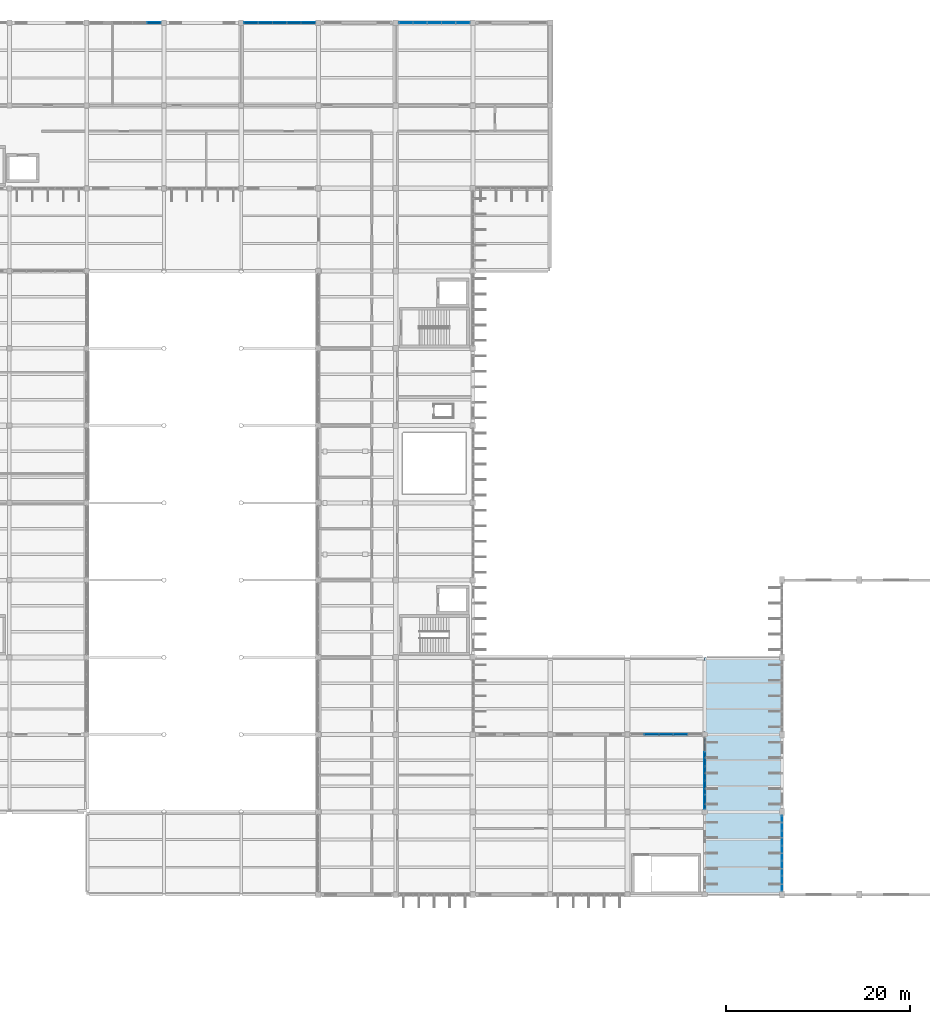
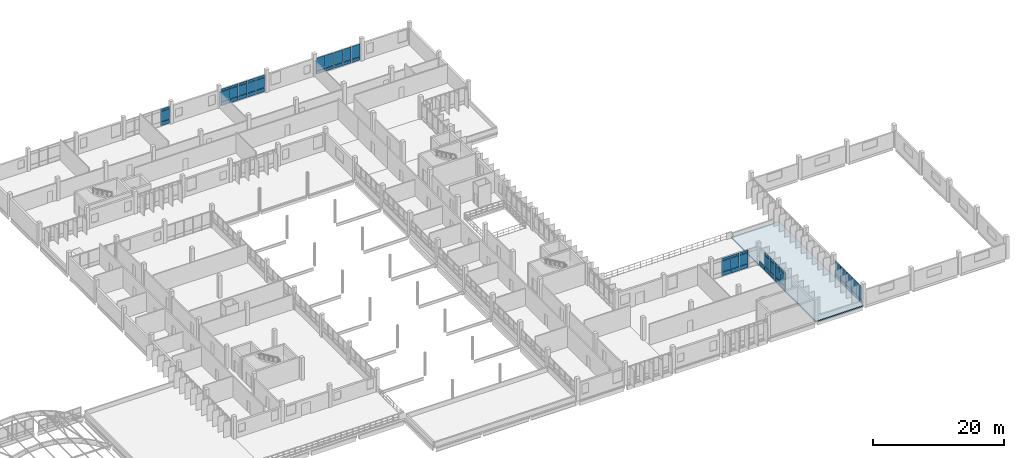
# One storey, part 102 of 130: 60 plates, 1 slab, 6 elements without a shape of their own.
"""IFC4 building model written with IfcOpenShell, lengths in metres."""

from ifc_helpers import new_model, si_unit, direction, frame, origin, origin_2d, place, context, subcontext, project, spatial, polyline, rectangle, outline, extrude, material, layer, layer_set, type_object, element, aggregate, save


model = new_model("IFC4")

# Units and contexts
model_context = context("Model", 3, precision=1e-05, world=origin(), true_north=direction((0.0, 1.0)))
body_context = subcontext(model_context, "Body", "Model", "MODEL_VIEW")
ifc_project = project(units=[si_unit("LENGTHUNIT", "METRE"), si_unit("AREAUNIT", "SQUARE_METRE"), si_unit("VOLUMEUNIT", "CUBIC_METRE"), si_unit("PLANEANGLEUNIT", "RADIAN"), si_unit("MASSUNIT", "GRAM", prefix="KILO")], contexts=[model_context])

# Site, building, storey
site_placement = place(None, origin())
site = spatial("IfcSite", under=ifc_project, at=site_placement, CompositionType="ELEMENT")
building_placement = place(site_placement, origin())
building = spatial("IfcBuilding", under=site, at=building_placement, Name="Vireocrest Preparatory School", CompositionType="ELEMENT")
storey_placement = place(building_placement, frame((0.0, 0.0, 9.0)))
storey = spatial("IfcBuildingStorey", under=building, at=storey_placement, Name="L02", CompositionType="ELEMENT", Elevation=9.0)

# Curtain wall, plates
ifc_material_1 = material(Name="Thermally broken aluminium EN AW-6063-T6", Category="aluminium")
ifc_layer_1 = layer(ifc_material_1, 0.179931640625)
ifc_layer_set_1 = layer_set([ifc_layer_1], Name="Thermally broken aluminium EN AW-6063-T6")
curtain_wall_type_1 = type_object("IfcCurtainWallType", Name="Library Reading Bay Glazing 7600x4200", PredefinedType="USERDEFINED", material=ifc_layer_set_1)
curtain_wall_1_placement = place(storey_placement, origin())
curtain_wall_1 = element("IfcCurtainWall", 1, at=curtain_wall_1_placement, inside=storey, type_object=curtain_wall_type_1, Name="Curtain Wall CW16 CW_L02_CW16_1262_0354_090", ObjectType="CURTAIN WALL", PredefinedType="USERDEFINED")
ifc_material_2 = material(Name="Insulated triple low-e tempered safety glass", Category="glass")
ifc_layer_2 = layer(ifc_material_2, 0.074951171875)
ifc_layer_set_2 = layer_set([ifc_layer_2], Name="Insulated triple low-e tempered safety glass")
plate_type_1 = type_object("IfcPlateType", Name="Acoustic Triple-Glazed Lab Curtain Panel 75", PredefinedType="CURTAIN_PANEL", material=ifc_layer_set_2)
plate_1_placement = place(storey_placement, frame((128.64404296875, 35.39990234375, 0.88232421875), z_axis=(0.0, 0.0, 1.0), x_axis=(1.0, 0.0, 0.0)))
plate_1 = element("IfcPlate", 2, at=plate_1_placement, type_object=plate_type_1, Name="CW Panel GL2 CW_L02_CW16_1262_0354_090-2-2", PredefinedType="CURTAIN_PANEL", context=body_context, shape_type="SweptSolid", body=[
    extrude(rectangle(XDim=1.490966796875, YDim=0.074951171875, at=origin_2d()), origin(), (0.0, 0.0, 1.0), 2.014892578125),
])
plate_2_placement = place(storey_placement, frame((128.64404296875, 35.39990234375, 2.96240234375), z_axis=(0.0, 0.0, 1.0), x_axis=(1.0, 0.0, 0.0)))
plate_2 = element("IfcPlate", 3, at=plate_2_placement, type_object=plate_type_1, Name="CW Panel GL2 CW_L02_CW16_1262_0354_090-2-3", PredefinedType="CURTAIN_PANEL", context=body_context, shape_type="SweptSolid", body=[
    extrude(rectangle(XDim=1.490966796875, YDim=0.074951171875, at=origin_2d()), origin(), (0.0, 0.0, 1.0), 0.409912109375),
])
plate_3_placement = place(storey_placement, frame((130.199951171875, 35.39990234375, 0.88232421875), z_axis=(0.0, 0.0, 1.0), x_axis=(1.0, 0.0, 0.0)))
plate_3 = element("IfcPlate", 4, at=plate_3_placement, type_object=plate_type_1, Name="CW Panel GL2 CW_L02_CW16_1262_0354_090-3-2", PredefinedType="CURTAIN_PANEL", context=body_context, shape_type="SweptSolid", body=[
    extrude(rectangle(XDim=1.490966796875, YDim=0.074951171875, at=origin_2d()), origin(), (0.0, 0.0, 1.0), 2.014892578125),
])
plate_4_placement = place(storey_placement, frame((130.199951171875, 35.39990234375, 2.96240234375), z_axis=(0.0, 0.0, 1.0), x_axis=(1.0, 0.0, 0.0)))
plate_4 = element("IfcPlate", 5, at=plate_4_placement, type_object=plate_type_1, Name="CW Panel GL2 CW_L02_CW16_1262_0354_090-3-3", PredefinedType="CURTAIN_PANEL", context=body_context, shape_type="SweptSolid", body=[
    extrude(rectangle(XDim=1.490966796875, YDim=0.074951171875, at=origin_2d()), origin(), (0.0, 0.0, 1.0), 0.409912109375),
])
plate_5_placement = place(storey_placement, frame((131.756103515625, 35.39990234375, 0.88232421875), z_axis=(0.0, 0.0, 1.0), x_axis=(1.0, 0.0, 0.0)))
plate_5 = element("IfcPlate", 6, at=plate_5_placement, type_object=plate_type_1, Name="CW Panel GL2 CW_L02_CW16_1262_0354_090-4-2", PredefinedType="CURTAIN_PANEL", context=body_context, shape_type="SweptSolid", body=[
    extrude(rectangle(XDim=1.490966796875, YDim=0.074951171875, at=origin_2d()), origin(), (0.0, 0.0, 1.0), 2.014892578125),
])
plate_6_placement = place(storey_placement, frame((131.756103515625, 35.39990234375, 2.96240234375), z_axis=(0.0, 0.0, 1.0), x_axis=(1.0, 0.0, 0.0)))
plate_6 = element("IfcPlate", 7, at=plate_6_placement, type_object=plate_type_1, Name="CW Panel GL2 CW_L02_CW16_1262_0354_090-4-3", PredefinedType="CURTAIN_PANEL", context=body_context, shape_type="SweptSolid", body=[
    extrude(rectangle(XDim=1.490966796875, YDim=0.074951171875, at=origin_2d()), origin(), (0.0, 0.0, 1.0), 0.409912109375),
])

ifc_layer_3 = layer(ifc_material_1, 0.179931640625)
ifc_layer_set_3 = layer_set([ifc_layer_3], Name="Thermally broken aluminium EN AW-6063-T6")
curtain_wall_type_2 = type_object("IfcCurtainWallType", Name="North Street Curtain Wall 8400x4000", PredefinedType="USERDEFINED", material=ifc_layer_set_3)
curtain_wall_2_placement = place(storey_placement, origin())
curtain_wall_2 = element("IfcCurtainWall", 8, at=curtain_wall_2_placement, inside=storey, type_object=curtain_wall_type_2, Name="Curtain Wall CW05 CW_L02_CW05_0674_1128_090", ObjectType="CURTAIN WALL", PredefinedType="USERDEFINED")
plate_7_placement = place(storey_placement, frame((74.511962890625, 112.800048828125, 0.88232421875), z_axis=(0.0, 0.0, 1.0), x_axis=(1.0, 0.0, 0.0)))
plate_7 = element("IfcPlate", 9, at=plate_7_placement, type_object=plate_type_1, Name="CW Panel GL2 CW_L02_CW05_0674_1128_090-5-2", PredefinedType="CURTAIN_PANEL", context=body_context, shape_type="SweptSolid", body=[
    extrude(rectangle(XDim=1.490966796875, YDim=0.074951171875, at=origin_2d()), origin(), (0.0, 0.0, 1.0), 1.844970703125),
])
plate_8_placement = place(storey_placement, frame((74.511962890625, 112.800048828125, 2.79248046875), z_axis=(0.0, 0.0, 1.0), x_axis=(1.0, 0.0, 0.0)))
plate_8 = element("IfcPlate", 10, at=plate_8_placement, type_object=plate_type_1, Name="CW Panel GL2 CW_L02_CW05_0674_1128_090-5-3", PredefinedType="CURTAIN_PANEL", context=body_context, shape_type="SweptSolid", body=[
    extrude(rectangle(XDim=1.490966796875, YDim=0.074951171875, at=origin_2d()), origin(), (0.0, 0.0, 1.0), 0.409912109375),
])

curtain_wall_3_placement = place(storey_placement, origin())
curtain_wall_3 = element("IfcCurtainWall", 11, at=curtain_wall_3_placement, inside=storey, type_object=curtain_wall_type_2, Name="Curtain Wall CW05 CW_L02_CW05_0842_1128_090", ObjectType="CURTAIN WALL", PredefinedType="USERDEFINED")
plate_9_placement = place(storey_placement, frame((85.08544921875, 112.800048828125, 0.88232421875), z_axis=(0.0, 0.0, 1.0), x_axis=(1.0, 0.0, 0.0)))
plate_9 = element("IfcPlate", 12, at=plate_9_placement, type_object=plate_type_1, Name="CW Panel GL2 CW_L02_CW05_0842_1128_090-1-2", PredefinedType="CURTAIN_PANEL", context=body_context, shape_type="SweptSolid", body=[
    extrude(rectangle(XDim=1.486083984375, YDim=0.074951171875, at=origin_2d()), origin(), (0.0, 0.0, 1.0), 1.844970703125),
])
plate_10_placement = place(storey_placement, frame((85.08544921875, 112.800048828125, 2.79248046875), z_axis=(0.0, 0.0, 1.0), x_axis=(1.0, 0.0, 0.0)))
plate_10 = element("IfcPlate", 13, at=plate_10_placement, type_object=plate_type_1, Name="CW Panel GL2 CW_L02_CW05_0842_1128_090-1-3", PredefinedType="CURTAIN_PANEL", context=body_context, shape_type="SweptSolid", body=[
    extrude(rectangle(XDim=1.486083984375, YDim=0.074951171875, at=origin_2d()), origin(), (0.0, 0.0, 1.0), 0.409912109375),
])
plate_11_placement = place(storey_placement, frame((86.636474609375, 112.800048828125, 0.88232421875), z_axis=(0.0, 0.0, 1.0), x_axis=(1.0, 0.0, 0.0)))
plate_11 = element("IfcPlate", 14, at=plate_11_placement, type_object=plate_type_1, Name="CW Panel GL2 CW_L02_CW05_0842_1128_090-2-2", PredefinedType="CURTAIN_PANEL", context=body_context, shape_type="SweptSolid", body=[
    extrude(rectangle(XDim=1.486083984375, YDim=0.074951171875, at=origin_2d()), origin(), (0.0, 0.0, 1.0), 1.844970703125),
])
plate_12_placement = place(storey_placement, frame((86.636474609375, 112.800048828125, 2.79248046875), z_axis=(0.0, 0.0, 1.0), x_axis=(1.0, 0.0, 0.0)))
plate_12 = element("IfcPlate", 15, at=plate_12_placement, type_object=plate_type_1, Name="CW Panel GL2 CW_L02_CW05_0842_1128_090-2-3", PredefinedType="CURTAIN_PANEL", context=body_context, shape_type="SweptSolid", body=[
    extrude(rectangle(XDim=1.486083984375, YDim=0.074951171875, at=origin_2d()), origin(), (0.0, 0.0, 1.0), 0.409912109375),
])
plate_13_placement = place(storey_placement, frame((88.1875, 112.800048828125, 0.88232421875), z_axis=(0.0, 0.0, 1.0), x_axis=(1.0, 0.0, 0.0)))
plate_13 = element("IfcPlate", 16, at=plate_13_placement, type_object=plate_type_1, Name="CW Panel GL2 CW_L02_CW05_0842_1128_090-3-2", PredefinedType="CURTAIN_PANEL", context=body_context, shape_type="SweptSolid", body=[
    extrude(rectangle(XDim=1.486083984375, YDim=0.074951171875, at=origin_2d()), origin(), (0.0, 0.0, 1.0), 1.844970703125),
])
plate_14_placement = place(storey_placement, frame((88.1875, 112.800048828125, 2.79248046875), z_axis=(0.0, 0.0, 1.0), x_axis=(1.0, 0.0, 0.0)))
plate_14 = element("IfcPlate", 17, at=plate_14_placement, type_object=plate_type_1, Name="CW Panel GL2 CW_L02_CW05_0842_1128_090-3-3", PredefinedType="CURTAIN_PANEL", context=body_context, shape_type="SweptSolid", body=[
    extrude(rectangle(XDim=1.486083984375, YDim=0.074951171875, at=origin_2d()), origin(), (0.0, 0.0, 1.0), 0.409912109375),
])
plate_15_placement = place(storey_placement, frame((89.738525390625, 112.800048828125, 0.88232421875), z_axis=(0.0, 0.0, 1.0), x_axis=(1.0, 0.0, 0.0)))
plate_15 = element("IfcPlate", 18, at=plate_15_placement, type_object=plate_type_1, Name="CW Panel GL2 CW_L02_CW05_0842_1128_090-4-2", PredefinedType="CURTAIN_PANEL", context=body_context, shape_type="SweptSolid", body=[
    extrude(rectangle(XDim=1.486083984375, YDim=0.074951171875, at=origin_2d()), origin(), (0.0, 0.0, 1.0), 1.844970703125),
])
plate_16_placement = place(storey_placement, frame((89.738525390625, 112.800048828125, 2.79248046875), z_axis=(0.0, 0.0, 1.0), x_axis=(1.0, 0.0, 0.0)))
plate_16 = element("IfcPlate", 19, at=plate_16_placement, type_object=plate_type_1, Name="CW Panel GL2 CW_L02_CW05_0842_1128_090-4-3", PredefinedType="CURTAIN_PANEL", context=body_context, shape_type="SweptSolid", body=[
    extrude(rectangle(XDim=1.486083984375, YDim=0.074951171875, at=origin_2d()), origin(), (0.0, 0.0, 1.0), 0.409912109375),
])
plate_17_placement = place(storey_placement, frame((91.28955078125, 112.800048828125, 0.88232421875), z_axis=(0.0, 0.0, 1.0), x_axis=(1.0, 0.0, 0.0)))
plate_17 = element("IfcPlate", 20, at=plate_17_placement, type_object=plate_type_1, Name="CW Panel GL2 CW_L02_CW05_0842_1128_090-5-2", PredefinedType="CURTAIN_PANEL", context=body_context, shape_type="SweptSolid", body=[
    extrude(rectangle(XDim=1.486083984375, YDim=0.074951171875, at=origin_2d()), origin(), (0.0, 0.0, 1.0), 1.844970703125),
])
plate_18_placement = place(storey_placement, frame((91.28955078125, 112.800048828125, 2.79248046875), z_axis=(0.0, 0.0, 1.0), x_axis=(1.0, 0.0, 0.0)))
plate_18 = element("IfcPlate", 21, at=plate_18_placement, type_object=plate_type_1, Name="CW Panel GL2 CW_L02_CW05_0842_1128_090-5-3", PredefinedType="CURTAIN_PANEL", context=body_context, shape_type="SweptSolid", body=[
    extrude(rectangle(XDim=1.486083984375, YDim=0.074951171875, at=origin_2d()), origin(), (0.0, 0.0, 1.0), 0.409912109375),
])

curtain_wall_4_placement = place(storey_placement, origin())
curtain_wall_4 = element("IfcCurtainWall", 22, at=curtain_wall_4_placement, inside=storey, type_object=curtain_wall_type_2, Name="Curtain Wall CW05 CW_L02_CW05_1011_1128_090", ObjectType="CURTAIN WALL", PredefinedType="USERDEFINED")
plate_19_placement = place(storey_placement, frame((101.907958984375, 112.800048828125, 0.12744140625), z_axis=(0.0, 0.0, 1.0), x_axis=(1.0, 0.0, 0.0)))
plate_19 = element("IfcPlate", 23, at=plate_19_placement, type_object=plate_type_1, Name="CW Panel GL2 CW_L02_CW05_1011_1128_090-1-1", PredefinedType="CURTAIN_PANEL", context=body_context, shape_type="SweptSolid", body=[
    extrude(rectangle(XDim=1.48095703125, YDim=0.074951171875, at=origin_2d()), origin(), (0.0, 0.0, 1.0), 0.5400390625),
])
plate_20_placement = place(storey_placement, frame((101.907958984375, 112.800048828125, 0.732421875), z_axis=(0.0, 0.0, 1.0), x_axis=(1.0, 0.0, 0.0)))
plate_20 = element("IfcPlate", 24, at=plate_20_placement, type_object=plate_type_1, Name="CW Panel GL2 CW_L02_CW05_1011_1128_090-1-2", PredefinedType="CURTAIN_PANEL", context=body_context, shape_type="SweptSolid", body=[
    extrude(rectangle(XDim=1.48095703125, YDim=0.074951171875, at=origin_2d()), origin(), (0.0, 0.0, 1.0), 2.3701171875),
])
plate_21_placement = place(storey_placement, frame((103.4541015625, 112.800048828125, 0.12744140625), z_axis=(0.0, 0.0, 1.0), x_axis=(1.0, 0.0, 0.0)))
plate_21 = element("IfcPlate", 25, at=plate_21_placement, type_object=plate_type_1, Name="CW Panel GL2 CW_L02_CW05_1011_1128_090-2-1", PredefinedType="CURTAIN_PANEL", context=body_context, shape_type="SweptSolid", body=[
    extrude(rectangle(XDim=1.48095703125, YDim=0.074951171875, at=origin_2d()), origin(), (0.0, 0.0, 1.0), 0.5400390625),
])
plate_22_placement = place(storey_placement, frame((103.4541015625, 112.800048828125, 0.732421875), z_axis=(0.0, 0.0, 1.0), x_axis=(1.0, 0.0, 0.0)))
plate_22 = element("IfcPlate", 26, at=plate_22_placement, type_object=plate_type_1, Name="CW Panel GL2 CW_L02_CW05_1011_1128_090-2-2", PredefinedType="CURTAIN_PANEL", context=body_context, shape_type="SweptSolid", body=[
    extrude(rectangle(XDim=1.48095703125, YDim=0.074951171875, at=origin_2d()), origin(), (0.0, 0.0, 1.0), 2.3701171875),
])
plate_23_placement = place(storey_placement, frame((105.0, 112.800048828125, 0.12744140625), z_axis=(0.0, 0.0, 1.0), x_axis=(1.0, 0.0, 0.0)))
plate_23 = element("IfcPlate", 27, at=plate_23_placement, type_object=plate_type_1, Name="CW Panel GL2 CW_L02_CW05_1011_1128_090-3-1", PredefinedType="CURTAIN_PANEL", context=body_context, shape_type="SweptSolid", body=[
    extrude(rectangle(XDim=1.48095703125, YDim=0.074951171875, at=origin_2d()), origin(), (0.0, 0.0, 1.0), 0.5400390625),
])
plate_24_placement = place(storey_placement, frame((105.0, 112.800048828125, 0.732421875), z_axis=(0.0, 0.0, 1.0), x_axis=(1.0, 0.0, 0.0)))
plate_24 = element("IfcPlate", 28, at=plate_24_placement, type_object=plate_type_1, Name="CW Panel GL2 CW_L02_CW05_1011_1128_090-3-2", PredefinedType="CURTAIN_PANEL", context=body_context, shape_type="SweptSolid", body=[
    extrude(rectangle(XDim=1.48095703125, YDim=0.074951171875, at=origin_2d()), origin(), (0.0, 0.0, 1.0), 2.3701171875),
])
plate_25_placement = place(storey_placement, frame((106.5458984375, 112.800048828125, 0.12744140625), z_axis=(0.0, 0.0, 1.0), x_axis=(1.0, 0.0, 0.0)))
plate_25 = element("IfcPlate", 29, at=plate_25_placement, type_object=plate_type_1, Name="CW Panel GL2 CW_L02_CW05_1011_1128_090-4-1", PredefinedType="CURTAIN_PANEL", context=body_context, shape_type="SweptSolid", body=[
    extrude(rectangle(XDim=1.48095703125, YDim=0.074951171875, at=origin_2d()), origin(), (0.0, 0.0, 1.0), 0.5400390625),
])
plate_26_placement = place(storey_placement, frame((106.5458984375, 112.800048828125, 0.732421875), z_axis=(0.0, 0.0, 1.0), x_axis=(1.0, 0.0, 0.0)))
plate_26 = element("IfcPlate", 30, at=plate_26_placement, type_object=plate_type_1, Name="CW Panel GL2 CW_L02_CW05_1011_1128_090-4-2", PredefinedType="CURTAIN_PANEL", context=body_context, shape_type="SweptSolid", body=[
    extrude(rectangle(XDim=1.48095703125, YDim=0.074951171875, at=origin_2d()), origin(), (0.0, 0.0, 1.0), 2.3701171875),
])
plate_27_placement = place(storey_placement, frame((108.092041015625, 112.800048828125, 0.12744140625), z_axis=(0.0, 0.0, 1.0), x_axis=(1.0, 0.0, 0.0)))
plate_27 = element("IfcPlate", 31, at=plate_27_placement, type_object=plate_type_1, Name="CW Panel GL2 CW_L02_CW05_1011_1128_090-5-1", PredefinedType="CURTAIN_PANEL", context=body_context, shape_type="SweptSolid", body=[
    extrude(rectangle(XDim=1.48095703125, YDim=0.074951171875, at=origin_2d()), origin(), (0.0, 0.0, 1.0), 0.5400390625),
])
plate_28_placement = place(storey_placement, frame((108.092041015625, 112.800048828125, 0.732421875), z_axis=(0.0, 0.0, 1.0), x_axis=(1.0, 0.0, 0.0)))
plate_28 = element("IfcPlate", 32, at=plate_28_placement, type_object=plate_type_1, Name="CW Panel GL2 CW_L02_CW05_1011_1128_090-5-2", PredefinedType="CURTAIN_PANEL", context=body_context, shape_type="SweptSolid", body=[
    extrude(rectangle(XDim=1.48095703125, YDim=0.074951171875, at=origin_2d()), origin(), (0.0, 0.0, 1.0), 2.3701171875),
])
aggregate(curtain_wall_4, [plate_19, plate_20, plate_21, plate_22, plate_23, plate_24, plate_25, plate_26, plate_27, plate_28])

ifc_layer_4 = layer(ifc_material_1, 0.179931640625)
ifc_layer_set_4 = layer_set([ifc_layer_4], Name="Thermally broken aluminium EN AW-6063-T6")
curtain_wall_type_3 = type_object("IfcCurtainWallType", Name="Teaching Fin Curtain Wall 8400x4200", PredefinedType="USERDEFINED", material=ifc_layer_set_4)
curtain_wall_5_placement = place(storey_placement, origin())
curtain_wall_5 = element("IfcCurtainWall", 33, at=curtain_wall_5_placement, inside=storey, type_object=curtain_wall_type_3, Name="Curtain Wall CW03 CW_L02_CW03_1344_0272_090", ObjectType="CURTAIN WALL", PredefinedType="USERDEFINED")
plate_29_placement = place(storey_placement, frame((134.39990234375, 28.087890625, 0.88232421875), z_axis=(0.0, 0.0, 1.0), x_axis=(0.0, 1.0, 0.0)))
plate_29 = element("IfcPlate", 34, at=plate_29_placement, type_object=plate_type_1, Name="CW Panel GL2 CW_L02_CW03_1344_0272_090-1-2", PredefinedType="CURTAIN_PANEL", context=body_context, shape_type="SweptSolid", body=[
    extrude(rectangle(XDim=1.490966796875, YDim=0.074951171875, at=origin_2d()), origin(), (0.0, 0.0, 1.0), 2.014892578125),
])
plate_30_placement = place(storey_placement, frame((134.39990234375, 28.087890625, 2.96240234375), z_axis=(0.0, 0.0, 1.0), x_axis=(0.0, 1.0, 0.0)))
plate_30 = element("IfcPlate", 35, at=plate_30_placement, type_object=plate_type_1, Name="CW Panel GL2 CW_L02_CW03_1344_0272_090-1-3", PredefinedType="CURTAIN_PANEL", context=body_context, shape_type="SweptSolid", body=[
    extrude(rectangle(XDim=1.490966796875, YDim=0.074951171875, at=origin_2d()), origin(), (0.0, 0.0, 1.0), 0.409912109375),
])
plate_31_placement = place(storey_placement, frame((134.39990234375, 29.64404296875, 0.88232421875), z_axis=(0.0, 0.0, 1.0), x_axis=(0.0, 1.0, 0.0)))
plate_31 = element("IfcPlate", 36, at=plate_31_placement, type_object=plate_type_1, Name="CW Panel GL2 CW_L02_CW03_1344_0272_090-2-2", PredefinedType="CURTAIN_PANEL", context=body_context, shape_type="SweptSolid", body=[
    extrude(rectangle(XDim=1.490966796875, YDim=0.074951171875, at=origin_2d()), origin(), (0.0, 0.0, 1.0), 2.014892578125),
])
plate_32_placement = place(storey_placement, frame((134.39990234375, 29.64404296875, 2.96240234375), z_axis=(0.0, 0.0, 1.0), x_axis=(0.0, 1.0, 0.0)))
plate_32 = element("IfcPlate", 37, at=plate_32_placement, type_object=plate_type_1, Name="CW Panel GL2 CW_L02_CW03_1344_0272_090-2-3", PredefinedType="CURTAIN_PANEL", context=body_context, shape_type="SweptSolid", body=[
    extrude(rectangle(XDim=1.490966796875, YDim=0.074951171875, at=origin_2d()), origin(), (0.0, 0.0, 1.0), 0.409912109375),
])
plate_33_placement = place(storey_placement, frame((134.39990234375, 31.199951171875, 0.88232421875), z_axis=(0.0, 0.0, 1.0), x_axis=(0.0, 1.0, 0.0)))
plate_33 = element("IfcPlate", 38, at=plate_33_placement, type_object=plate_type_1, Name="CW Panel GL2 CW_L02_CW03_1344_0272_090-3-2", PredefinedType="CURTAIN_PANEL", context=body_context, shape_type="SweptSolid", body=[
    extrude(rectangle(XDim=1.490966796875, YDim=0.074951171875, at=origin_2d()), origin(), (0.0, 0.0, 1.0), 2.014892578125),
])
plate_34_placement = place(storey_placement, frame((134.39990234375, 31.199951171875, 2.96240234375), z_axis=(0.0, 0.0, 1.0), x_axis=(0.0, 1.0, 0.0)))
plate_34 = element("IfcPlate", 39, at=plate_34_placement, type_object=plate_type_1, Name="CW Panel GL2 CW_L02_CW03_1344_0272_090-3-3", PredefinedType="CURTAIN_PANEL", context=body_context, shape_type="SweptSolid", body=[
    extrude(rectangle(XDim=1.490966796875, YDim=0.074951171875, at=origin_2d()), origin(), (0.0, 0.0, 1.0), 0.409912109375),
])
plate_35_placement = place(storey_placement, frame((134.39990234375, 32.756103515625, 0.88232421875), z_axis=(0.0, 0.0, 1.0), x_axis=(0.0, 1.0, 0.0)))
plate_35 = element("IfcPlate", 40, at=plate_35_placement, type_object=plate_type_1, Name="CW Panel GL2 CW_L02_CW03_1344_0272_090-4-2", PredefinedType="CURTAIN_PANEL", context=body_context, shape_type="SweptSolid", body=[
    extrude(rectangle(XDim=1.490966796875, YDim=0.074951171875, at=origin_2d()), origin(), (0.0, 0.0, 1.0), 2.014892578125),
])
plate_36_placement = place(storey_placement, frame((134.39990234375, 32.756103515625, 2.96240234375), z_axis=(0.0, 0.0, 1.0), x_axis=(0.0, 1.0, 0.0)))
plate_36 = element("IfcPlate", 41, at=plate_36_placement, type_object=plate_type_1, Name="CW Panel GL2 CW_L02_CW03_1344_0272_090-4-3", PredefinedType="CURTAIN_PANEL", context=body_context, shape_type="SweptSolid", body=[
    extrude(rectangle(XDim=1.490966796875, YDim=0.074951171875, at=origin_2d()), origin(), (0.0, 0.0, 1.0), 0.409912109375),
])

ifc_layer_5 = layer(ifc_material_1, 0.179931640625)
ifc_layer_set_5 = layer_set([ifc_layer_5], Name="Thermally broken aluminium EN AW-6063-T6")
curtain_wall_type_4 = type_object("IfcCurtainWallType", Name="Side Facade Curtain Wall 9000x4200", PredefinedType="USERDEFINED", material=ifc_layer_set_5)
curtain_wall_6_placement = place(storey_placement, origin())
curtain_wall_6 = element("IfcCurtainWall", 42, at=curtain_wall_6_placement, inside=storey, type_object=curtain_wall_type_4, Name="Curtain Wall CW07 CW_L02_CW07_1428_0184_090", ObjectType="CURTAIN WALL", PredefinedType="USERDEFINED")
plate_37_placement = place(storey_placement, frame((142.800048828125, 19.22802734375, 0.12744140625), z_axis=(0.0, 0.0, 1.0), x_axis=(0.0, 1.0, 0.0)))
plate_37 = element("IfcPlate", 43, at=plate_37_placement, type_object=plate_type_1, Name="CW Panel GL2 CW_L02_CW07_1428_0184_090-1-1", PredefinedType="CURTAIN_PANEL", context=body_context, shape_type="SweptSolid", body=[
    extrude(rectangle(XDim=1.571044921875, YDim=0.074951171875, at=origin_2d()), origin(), (0.0, 0.0, 1.0), 0.5400390625),
])
plate_38_placement = place(storey_placement, frame((142.800048828125, 19.22802734375, 0.732421875), z_axis=(0.0, 0.0, 1.0), x_axis=(0.0, 1.0, 0.0)))
plate_38 = element("IfcPlate", 44, at=plate_38_placement, type_object=plate_type_1, Name="CW Panel GL2 CW_L02_CW07_1428_0184_090-1-2", PredefinedType="CURTAIN_PANEL", context=body_context, shape_type="SweptSolid", body=[
    extrude(rectangle(XDim=1.571044921875, YDim=0.074951171875, at=origin_2d()), origin(), (0.0, 0.0, 1.0), 2.386962890625),
])
plate_39_placement = place(storey_placement, frame((142.800048828125, 20.864013671875, 0.12744140625), z_axis=(0.0, 0.0, 1.0), x_axis=(0.0, 1.0, 0.0)))
plate_39 = element("IfcPlate", 45, at=plate_39_placement, type_object=plate_type_1, Name="CW Panel GL2 CW_L02_CW07_1428_0184_090-2-1", PredefinedType="CURTAIN_PANEL", context=body_context, shape_type="SweptSolid", body=[
    extrude(rectangle(XDim=1.571044921875, YDim=0.074951171875, at=origin_2d()), origin(), (0.0, 0.0, 1.0), 0.5400390625),
])
plate_40_placement = place(storey_placement, frame((142.800048828125, 20.864013671875, 0.732421875), z_axis=(0.0, 0.0, 1.0), x_axis=(0.0, 1.0, 0.0)))
plate_40 = element("IfcPlate", 46, at=plate_40_placement, type_object=plate_type_1, Name="CW Panel GL2 CW_L02_CW07_1428_0184_090-2-2", PredefinedType="CURTAIN_PANEL", context=body_context, shape_type="SweptSolid", body=[
    extrude(rectangle(XDim=1.571044921875, YDim=0.074951171875, at=origin_2d()), origin(), (0.0, 0.0, 1.0), 2.386962890625),
])
plate_41_placement = place(storey_placement, frame((142.800048828125, 22.5, 0.12744140625), z_axis=(0.0, 0.0, 1.0), x_axis=(0.0, 1.0, 0.0)))
plate_41 = element("IfcPlate", 47, at=plate_41_placement, type_object=plate_type_1, Name="CW Panel GL2 CW_L02_CW07_1428_0184_090-3-1", PredefinedType="CURTAIN_PANEL", context=body_context, shape_type="SweptSolid", body=[
    extrude(rectangle(XDim=1.571044921875, YDim=0.074951171875, at=origin_2d()), origin(), (0.0, 0.0, 1.0), 0.5400390625),
])
plate_42_placement = place(storey_placement, frame((142.800048828125, 22.5, 0.732421875), z_axis=(0.0, 0.0, 1.0), x_axis=(0.0, 1.0, 0.0)))
plate_42 = element("IfcPlate", 48, at=plate_42_placement, type_object=plate_type_1, Name="CW Panel GL2 CW_L02_CW07_1428_0184_090-3-2", PredefinedType="CURTAIN_PANEL", context=body_context, shape_type="SweptSolid", body=[
    extrude(rectangle(XDim=1.571044921875, YDim=0.074951171875, at=origin_2d()), origin(), (0.0, 0.0, 1.0), 2.386962890625),
])
plate_43_placement = place(storey_placement, frame((142.800048828125, 24.135986328125, 0.12744140625), z_axis=(0.0, 0.0, 1.0), x_axis=(0.0, 1.0, 0.0)))
plate_43 = element("IfcPlate", 49, at=plate_43_placement, type_object=plate_type_1, Name="CW Panel GL2 CW_L02_CW07_1428_0184_090-4-1", PredefinedType="CURTAIN_PANEL", context=body_context, shape_type="SweptSolid", body=[
    extrude(rectangle(XDim=1.571044921875, YDim=0.074951171875, at=origin_2d()), origin(), (0.0, 0.0, 1.0), 0.5400390625),
])
plate_44_placement = place(storey_placement, frame((142.800048828125, 24.135986328125, 0.732421875), z_axis=(0.0, 0.0, 1.0), x_axis=(0.0, 1.0, 0.0)))
plate_44 = element("IfcPlate", 50, at=plate_44_placement, type_object=plate_type_1, Name="CW Panel GL2 CW_L02_CW07_1428_0184_090-4-2", PredefinedType="CURTAIN_PANEL", context=body_context, shape_type="SweptSolid", body=[
    extrude(rectangle(XDim=1.571044921875, YDim=0.074951171875, at=origin_2d()), origin(), (0.0, 0.0, 1.0), 2.386962890625),
])
plate_45_placement = place(storey_placement, frame((142.800048828125, 25.77197265625, 0.12744140625), z_axis=(0.0, 0.0, 1.0), x_axis=(0.0, 1.0, 0.0)))
plate_45 = element("IfcPlate", 51, at=plate_45_placement, type_object=plate_type_1, Name="CW Panel GL2 CW_L02_CW07_1428_0184_090-5-1", PredefinedType="CURTAIN_PANEL", context=body_context, shape_type="SweptSolid", body=[
    extrude(rectangle(XDim=1.571044921875, YDim=0.074951171875, at=origin_2d()), origin(), (0.0, 0.0, 1.0), 0.5400390625),
])
plate_46_placement = place(storey_placement, frame((142.800048828125, 25.77197265625, 0.732421875), z_axis=(0.0, 0.0, 1.0), x_axis=(0.0, 1.0, 0.0)))
plate_46 = element("IfcPlate", 52, at=plate_46_placement, type_object=plate_type_1, Name="CW Panel GL2 CW_L02_CW07_1428_0184_090-5-2", PredefinedType="CURTAIN_PANEL", context=body_context, shape_type="SweptSolid", body=[
    extrude(rectangle(XDim=1.571044921875, YDim=0.074951171875, at=origin_2d()), origin(), (0.0, 0.0, 1.0), 2.386962890625),
])
aggregate(curtain_wall_6, [plate_37, plate_38, plate_39, plate_40, plate_41, plate_42, plate_43, plate_44, plate_45, plate_46])

# Slab
ifc_material_3 = material(Name="Concrete 40 MPa", Category="concrete")
ifc_layer_6 = layer(ifc_material_3, 0.219970703125)
ifc_layer_set_6 = layer_set([ifc_layer_6], Name="Concrete 40 MPa")
slab_type = type_object("IfcSlabType", Name="Insulated Flat Concrete Roof Slab 220", PredefinedType="ROOF", material=ifc_layer_set_6)
slab_placement = place(storey_placement, frame((0.0, 0.0, -0.219970703125)))
element("IfcSlab", 53, at=slab_placement, inside=storey, type_object=slab_type, Name="Slab L02_EAST_LINK_ROOF_E", PredefinedType="ROOF", context=body_context, shape_type="SweptSolid", body=[
    extrude(outline(polyline([(134.39990234375, 18.0), (142.800048828125, 18.0), (142.800048828125, 43.800048828125), (134.39990234375, 43.800048828125), (134.39990234375, 18.0)])), origin(), (0.0, 0.0, 1.0), 0.219970703125),
])

# Plate
ifc_material_4 = material(Name="Painted white aluminium cladding EN AW-6063-T6", Category="aluminium")
ifc_layer_7 = layer(ifc_material_4, 0.114990234375)
ifc_layer_set_7 = layer_set([ifc_layer_7], Name="Painted white aluminium cladding EN AW-6063-T6")
plate_type_2 = type_object("IfcPlateType", Name="Insulated White Spandrel Curtain Panel 115", PredefinedType="CURTAIN_PANEL", material=ifc_layer_set_7)
plate_47_placement = place(storey_placement, frame((128.64404296875, 35.39990234375, 0.12744140625), z_axis=(0.0, 0.0, 1.0), x_axis=(1.0, 0.0, 0.0)))
plate_47 = element("IfcPlate", 54, at=plate_47_placement, type_object=plate_type_2, Name="CW Panel SP2 CW_L02_CW16_1262_0354_090-2-1", PredefinedType="CURTAIN_PANEL", context=body_context, shape_type="SweptSolid", body=[
    extrude(rectangle(XDim=1.490966796875, YDim=0.114990234375, at=origin_2d()), origin(), (0.0, 0.0, 1.0), 0.68994140625),
])

plate_48_placement = place(storey_placement, frame((130.199951171875, 35.39990234375, 0.12744140625), z_axis=(0.0, 0.0, 1.0), x_axis=(1.0, 0.0, 0.0)))
plate_48 = element("IfcPlate", 55, at=plate_48_placement, type_object=plate_type_2, Name="CW Panel SP2 CW_L02_CW16_1262_0354_090-3-1", PredefinedType="CURTAIN_PANEL", context=body_context, shape_type="SweptSolid", body=[
    extrude(rectangle(XDim=1.490966796875, YDim=0.114990234375, at=origin_2d()), origin(), (0.0, 0.0, 1.0), 0.68994140625),
])

plate_49_placement = place(storey_placement, frame((131.756103515625, 35.39990234375, 0.12744140625), z_axis=(0.0, 0.0, 1.0), x_axis=(1.0, 0.0, 0.0)))
plate_49 = element("IfcPlate", 56, at=plate_49_placement, type_object=plate_type_2, Name="CW Panel SP2 CW_L02_CW16_1262_0354_090-4-1", PredefinedType="CURTAIN_PANEL", context=body_context, shape_type="SweptSolid", body=[
    extrude(rectangle(XDim=1.490966796875, YDim=0.114990234375, at=origin_2d()), origin(), (0.0, 0.0, 1.0), 0.68994140625),
])

aggregate(curtain_wall_1, [plate_47, plate_1, plate_2, plate_48, plate_3, plate_4, plate_49, plate_5, plate_6])

plate_50_placement = place(storey_placement, frame((74.511962890625, 112.800048828125, 0.12744140625), z_axis=(0.0, 0.0, 1.0), x_axis=(1.0, 0.0, 0.0)))
plate_50 = element("IfcPlate", 57, at=plate_50_placement, type_object=plate_type_2, Name="CW Panel SP2 CW_L02_CW05_0674_1128_090-5-1", PredefinedType="CURTAIN_PANEL", context=body_context, shape_type="SweptSolid", body=[
    extrude(rectangle(XDim=1.490966796875, YDim=0.114990234375, at=origin_2d()), origin(), (0.0, 0.0, 1.0), 0.68994140625),
])

aggregate(curtain_wall_2, [plate_50, plate_7, plate_8])

plate_51_placement = place(storey_placement, frame((85.08544921875, 112.800048828125, 0.12744140625), z_axis=(0.0, 0.0, 1.0), x_axis=(1.0, 0.0, 0.0)))
plate_51 = element("IfcPlate", 58, at=plate_51_placement, type_object=plate_type_2, Name="CW Panel SP2 CW_L02_CW05_0842_1128_090-1-1", PredefinedType="CURTAIN_PANEL", context=body_context, shape_type="SweptSolid", body=[
    extrude(rectangle(XDim=1.486083984375, YDim=0.114990234375, at=origin_2d()), origin(), (0.0, 0.0, 1.0), 0.68994140625),
])

plate_52_placement = place(storey_placement, frame((86.636474609375, 112.800048828125, 0.12744140625), z_axis=(0.0, 0.0, 1.0), x_axis=(1.0, 0.0, 0.0)))
plate_52 = element("IfcPlate", 59, at=plate_52_placement, type_object=plate_type_2, Name="CW Panel SP2 CW_L02_CW05_0842_1128_090-2-1", PredefinedType="CURTAIN_PANEL", context=body_context, shape_type="SweptSolid", body=[
    extrude(rectangle(XDim=1.486083984375, YDim=0.114990234375, at=origin_2d()), origin(), (0.0, 0.0, 1.0), 0.68994140625),
])

plate_53_placement = place(storey_placement, frame((88.1875, 112.800048828125, 0.12744140625), z_axis=(0.0, 0.0, 1.0), x_axis=(1.0, 0.0, 0.0)))
plate_53 = element("IfcPlate", 60, at=plate_53_placement, type_object=plate_type_2, Name="CW Panel SP2 CW_L02_CW05_0842_1128_090-3-1", PredefinedType="CURTAIN_PANEL", context=body_context, shape_type="SweptSolid", body=[
    extrude(rectangle(XDim=1.486083984375, YDim=0.114990234375, at=origin_2d()), origin(), (0.0, 0.0, 1.0), 0.68994140625),
])

plate_54_placement = place(storey_placement, frame((89.738525390625, 112.800048828125, 0.12744140625), z_axis=(0.0, 0.0, 1.0), x_axis=(1.0, 0.0, 0.0)))
plate_54 = element("IfcPlate", 61, at=plate_54_placement, type_object=plate_type_2, Name="CW Panel SP2 CW_L02_CW05_0842_1128_090-4-1", PredefinedType="CURTAIN_PANEL", context=body_context, shape_type="SweptSolid", body=[
    extrude(rectangle(XDim=1.486083984375, YDim=0.114990234375, at=origin_2d()), origin(), (0.0, 0.0, 1.0), 0.68994140625),
])

plate_55_placement = place(storey_placement, frame((91.28955078125, 112.800048828125, 0.12744140625), z_axis=(0.0, 0.0, 1.0), x_axis=(1.0, 0.0, 0.0)))
plate_55 = element("IfcPlate", 62, at=plate_55_placement, type_object=plate_type_2, Name="CW Panel SP2 CW_L02_CW05_0842_1128_090-5-1", PredefinedType="CURTAIN_PANEL", context=body_context, shape_type="SweptSolid", body=[
    extrude(rectangle(XDim=1.486083984375, YDim=0.114990234375, at=origin_2d()), origin(), (0.0, 0.0, 1.0), 0.68994140625),
])

aggregate(curtain_wall_3, [plate_51, plate_9, plate_10, plate_52, plate_11, plate_12, plate_53, plate_13, plate_14, plate_54, plate_15, plate_16, plate_55, plate_17, plate_18])

plate_56_placement = place(storey_placement, frame((134.39990234375, 28.087890625, 0.12744140625), z_axis=(0.0, 0.0, 1.0), x_axis=(0.0, 1.0, 0.0)))
plate_56 = element("IfcPlate", 63, at=plate_56_placement, type_object=plate_type_2, Name="CW Panel SP2 CW_L02_CW03_1344_0272_090-1-1", PredefinedType="CURTAIN_PANEL", context=body_context, shape_type="SweptSolid", body=[
    extrude(rectangle(XDim=1.490966796875, YDim=0.114990234375, at=origin_2d()), origin(), (0.0, 0.0, 1.0), 0.68994140625),
])

plate_57_placement = place(storey_placement, frame((134.39990234375, 29.64404296875, 0.12744140625), z_axis=(0.0, 0.0, 1.0), x_axis=(0.0, 1.0, 0.0)))
plate_57 = element("IfcPlate", 64, at=plate_57_placement, type_object=plate_type_2, Name="CW Panel SP2 CW_L02_CW03_1344_0272_090-2-1", PredefinedType="CURTAIN_PANEL", context=body_context, shape_type="SweptSolid", body=[
    extrude(rectangle(XDim=1.490966796875, YDim=0.114990234375, at=origin_2d()), origin(), (0.0, 0.0, 1.0), 0.68994140625),
])

plate_58_placement = place(storey_placement, frame((134.39990234375, 31.199951171875, 0.12744140625), z_axis=(0.0, 0.0, 1.0), x_axis=(0.0, 1.0, 0.0)))
plate_58 = element("IfcPlate", 65, at=plate_58_placement, type_object=plate_type_2, Name="CW Panel SP2 CW_L02_CW03_1344_0272_090-3-1", PredefinedType="CURTAIN_PANEL", context=body_context, shape_type="SweptSolid", body=[
    extrude(rectangle(XDim=1.490966796875, YDim=0.114990234375, at=origin_2d()), origin(), (0.0, 0.0, 1.0), 0.68994140625),
])

plate_59_placement = place(storey_placement, frame((134.39990234375, 32.756103515625, 0.12744140625), z_axis=(0.0, 0.0, 1.0), x_axis=(0.0, 1.0, 0.0)))
plate_59 = element("IfcPlate", 66, at=plate_59_placement, type_object=plate_type_2, Name="CW Panel SP2 CW_L02_CW03_1344_0272_090-4-1", PredefinedType="CURTAIN_PANEL", context=body_context, shape_type="SweptSolid", body=[
    extrude(rectangle(XDim=1.490966796875, YDim=0.114990234375, at=origin_2d()), origin(), (0.0, 0.0, 1.0), 0.68994140625),
])

plate_60_placement = place(storey_placement, frame((134.39990234375, 34.31201171875, 0.12744140625), z_axis=(0.0, 0.0, 1.0), x_axis=(0.0, 1.0, 0.0)))
plate_60 = element("IfcPlate", 67, at=plate_60_placement, type_object=plate_type_2, Name="CW Panel SP2 CW_L02_CW03_1344_0272_090-5-1", PredefinedType="CURTAIN_PANEL", context=body_context, shape_type="SweptSolid", body=[
    extrude(rectangle(XDim=1.490966796875, YDim=0.114990234375, at=origin_2d()), origin(), (0.0, 0.0, 1.0), 0.68994140625),
])

aggregate(curtain_wall_5, [plate_56, plate_29, plate_30, plate_57, plate_31, plate_32, plate_58, plate_33, plate_34, plate_59, plate_35, plate_36, plate_60])

save(model, "model.ifc")
